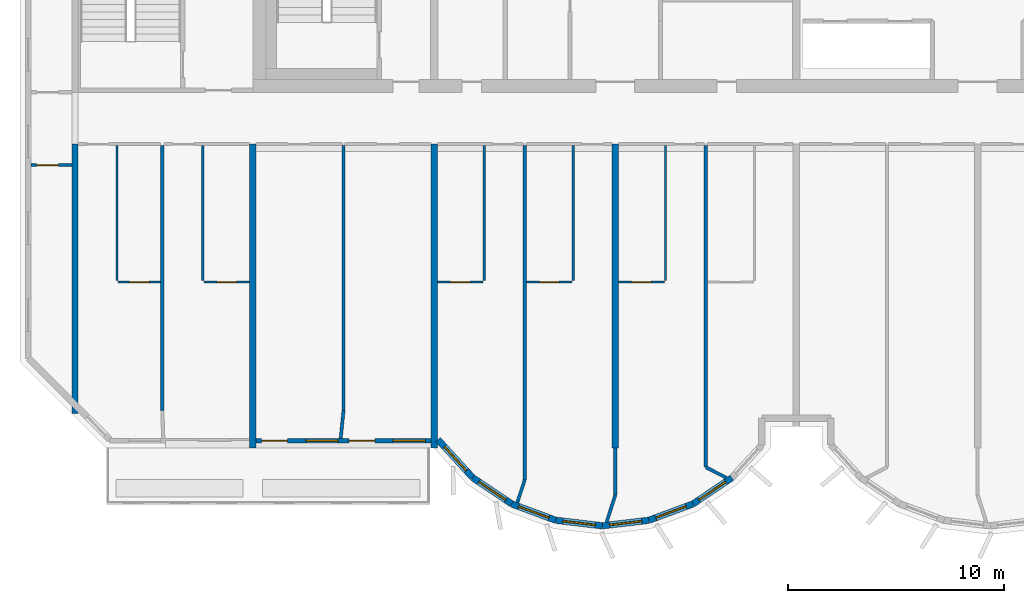
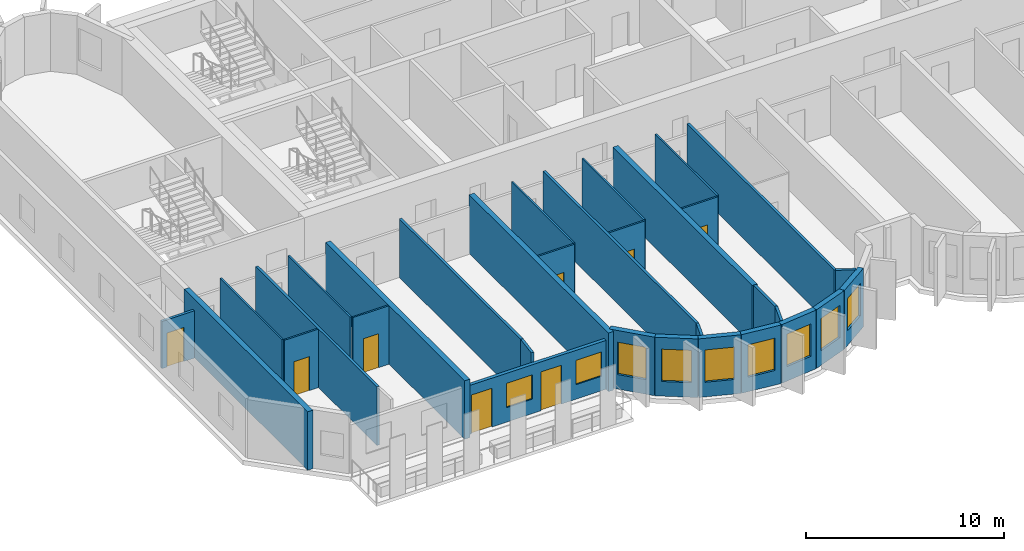
# One storey, part 2 of 11: 32 walls, 9 windows, 8 doors, 17 openings.
"""IFC4 building model written with IfcOpenShell, lengths in metres."""

from ifc_helpers import new_model, si_unit, direction, frame, frame_2d, origin, place, context, subcontext, project, spatial, rectangle, extrude, source, transform, mapped, material, layer, layer_set, type_object, element, fill, save


model = new_model("IFC4")

# Units and contexts
model_context = context("Model", 3, precision=1e-05, world=origin(), true_north=direction((0.0, 1.0)))
body_context = subcontext(model_context, "Body", "Model", "MODEL_VIEW")
ifc_project = project(units=[si_unit("LENGTHUNIT", "METRE"), si_unit("AREAUNIT", "SQUARE_METRE"), si_unit("VOLUMEUNIT", "CUBIC_METRE"), si_unit("PLANEANGLEUNIT", "RADIAN"), si_unit("MASSUNIT", "GRAM", prefix="KILO")], contexts=[model_context])

# Site, building, storey
site_placement = place(None, origin())
site = spatial("IfcSite", under=ifc_project, at=site_placement, CompositionType="ELEMENT")
building_placement = place(site_placement, origin())
building = spatial("IfcBuilding", under=site, at=building_placement, Name="Vanashikhar Sky Hotel", CompositionType="ELEMENT")
storey_placement = place(building_placement, frame((0.0, 0.0, 245.199951171875)))
storey = spatial("IfcBuildingStorey", under=building, at=storey_placement, Name="L59", CompositionType="ELEMENT", Elevation=245.199951171875)

# Walls
ifc_material_1 = material(Name="Concrete M60", Category="concrete")
ifc_layer_1 = layer(ifc_material_1, 0.300048828125)
ifc_layer_set_1 = layer_set([ifc_layer_1], Name="RC shear wall 300 Concrete M60")
wall_type_1 = type_object("IfcWallType", Name="RC shear wall 300 Concrete M60", PredefinedType="SHEAR", material=ifc_layer_set_1)
shared_shape_1 = source(origin(), body_context, "Body", "SweptSolid", [
    extrude(rectangle(XDim=12.5, YDim=0.300048828125, at=frame_2d((6.25, 0.0))), origin(), (0.0, 0.0, 1.0), 3.6201171875),
])
wall_1_placement = place(storey_placement, frame((16.949951171875, 7.10009765625, 0.0), z_axis=(0.0, 0.0, 1.0), x_axis=(0.0, 1.0, 0.0)))
element("IfcWall", 1, at=wall_1_placement, inside=storey, type_object=wall_type_1, Name="CW-L59-XW03-1", PredefinedType="SHEAR", context=body_context, shape_type="MappedRepresentation", body=[
    mapped(shared_shape_1, transform((0.0, 0.0, 0.0), scale=1.0)),
])
shared_shape_2 = source(origin(), body_context, "Body", "SweptSolid", [
    extrude(rectangle(XDim=14.10009765625, YDim=0.300048828125, at=frame_2d((7.050048828125, 0.0))), origin(), (0.0, 0.0, 1.0), 3.6201171875),
])
for number, where, z_axis, x_axis, name in (
    (2, (25.199951171875, 5.5, 0.0), (0.0, 0.0, 1.0), (0.0, 1.0, 0.0), "CW-L59-XW04-1"),
    (3, (33.60009765625, 5.5, 0.0), (0.0, 0.0, 1.0), (0.0, 1.0, 0.0), "CW-L59-XW05-1"),
    (4, (42.0, 5.5, 0.0), (0.0, 0.0, 1.0), (0.0, 1.0, 0.0), "CW-L59-XW06-1"),
):
    element("IfcWall", number, at=place(storey_placement, frame(where, z_axis=z_axis, x_axis=x_axis)), inside=storey, type_object=wall_type_1, Name=name, PredefinedType="SHEAR", context=body_context, shape_type="MappedRepresentation", body=[
        mapped(shared_shape_2, transform((0.0, 0.0, 0.0), scale=1.0)),
    ])

# Wall, openings, windows, doors
ifc_material_2 = material(Name="Concrete M50", Category="concrete")
ifc_layer_2 = layer(ifc_material_2, 0.199951171875)
ifc_layer_set_2 = layer_set([ifc_layer_2], Name="Front window wall 200")
wall_type_2 = type_object("IfcWallType", Name="Front window wall 200", PredefinedType="SOLIDWALL", material=ifc_layer_set_2)
shared_shape_3 = source(origin(), body_context, "Body", "SweptSolid", [
    extrude(rectangle(XDim=8.099853515625, YDim=0.199951171875, at=frame_2d((4.0498046875, 0.0))), origin(), (0.0, 0.0, 1.0), 3.02001953125),
])
wall_2_placement = place(storey_placement, frame((25.35009765625, 5.85009765625, 0.0), z_axis=(0.0, 0.0, 1.0), x_axis=(1.0, 0.0, 0.0)))
wall_2 = element("IfcWall", 5, at=wall_2_placement, inside=storey, type_object=wall_type_2, Name="Front window wall", PredefinedType="SOLIDWALL", context=body_context, shape_type="MappedRepresentation", body=[
    mapped(shared_shape_3, transform((0.0, 0.0, 0.0), scale=1.0)),
])
shared_shape_4 = source(origin(), body_context, "Body", "SweptSolid", [
    extrude(rectangle(XDim=1.199951171875, YDim=2.39990234375, at=frame_2d((0.60009765625, 1.199951171875))), frame((0.0, 0.10986328125, 0.0), z_axis=(0.0, -1.0, 0.0), x_axis=(1.0, 0.0, 0.0)), (0.0, 0.0, 1.0), 0.219970703125),
])
opening_1_placement = place(wall_2_placement, frame((0.25, 0.0, 0.0)))
opening_1 = element("IfcOpeningElement", 6, at=opening_1_placement, cuts=wall_2, Name="Opening BD-01", PredefinedType="OPENING", context=body_context, shape_type="MappedRepresentation", body=[
    mapped(shared_shape_4, transform((0.0, 0.0, 0.0), scale=1.0)),
])
shared_shape_5 = source(origin(), body_context, "Body", "SweptSolid", [
    extrude(rectangle(XDim=1.5, YDim=1.5, at=frame_2d((0.75, 0.75))), frame((0.0, 0.10986328125, 0.0), z_axis=(0.0, -1.0, 0.0), x_axis=(1.0, 0.0, 0.0)), (0.0, 0.0, 1.0), 0.219970703125),
])
opening_2_placement = place(wall_2_placement, frame((2.300048828125, 0.0, 0.89990234375)))
opening_2 = element("IfcOpeningElement", 7, at=opening_2_placement, cuts=wall_2, Name="Opening WN-1", PredefinedType="OPENING", context=body_context, shape_type="MappedRepresentation", body=[
    mapped(shared_shape_5, transform((0.0, 0.0, 0.0), scale=1.0)),
])
opening_3_placement = place(wall_2_placement, frame((4.300048828125, 0.0, 0.0)))
opening_3 = element("IfcOpeningElement", 8, at=opening_3_placement, cuts=wall_2, Name="Opening BD-02", PredefinedType="OPENING", context=body_context, shape_type="MappedRepresentation", body=[
    mapped(shared_shape_4, transform((0.0, 0.0, 0.0), scale=1.0)),
])
opening_4_placement = place(wall_2_placement, frame((6.35009765625, 0.0, 0.89990234375)))
opening_4 = element("IfcOpeningElement", 9, at=opening_4_placement, cuts=wall_2, Name="Opening WN-1", PredefinedType="OPENING", context=body_context, shape_type="MappedRepresentation", body=[
    mapped(shared_shape_5, transform((0.0, 0.0, 0.0), scale=1.0)),
])
ifc_material_3 = material(Name="Glass", Category="glass")
window_type_1 = type_object("IfcWindowType", Name="Window 1500 x 1500", PartitioningType="SINGLE_PANEL", PredefinedType="WINDOW", material=ifc_material_3)
shared_shape_6 = source(origin(), body_context, "Body", "SweptSolid", [
    extrude(rectangle(XDim=1.5, YDim=1.5, at=frame_2d((0.75, 0.75))), frame((0.0, 0.030029296875, 0.0), z_axis=(0.0, -1.0, 0.0), x_axis=(1.0, 0.0, 0.0)), (0.0, 0.0, 1.0), 0.06005859375),
])
window_1_placement = place(opening_2_placement, origin())
window_1 = element("IfcWindow", 10, at=window_1_placement, inside=storey, type_object=window_type_1, Name="Window WN-1", OverallHeight=1.5, OverallWidth=1.5, PartitioningType="SINGLE_PANEL", PredefinedType="WINDOW", context=body_context, shape_type="MappedRepresentation", body=[
    mapped(shared_shape_6, transform((0.0, 0.0, 0.0), scale=1.0)),
])
fill(opening_2, window_1)
window_2_placement = place(opening_4_placement, origin())
window_2 = element("IfcWindow", 11, at=window_2_placement, inside=storey, type_object=window_type_1, Name="Window WN-1", OverallHeight=1.5, OverallWidth=1.5, PartitioningType="SINGLE_PANEL", PredefinedType="WINDOW", context=body_context, shape_type="MappedRepresentation", body=[
    mapped(shared_shape_6, transform((0.0, 0.0, 0.0), scale=1.0)),
])
fill(opening_4, window_2)
ifc_material_4 = material(Name="Aluminium", Category="aluminium")
door_type_1 = type_object("IfcDoorType", Name="Balcony sliding door 1200 x 2400", OperationType="NOTDEFINED", PredefinedType="DOOR", material=ifc_material_4)
shared_shape_7 = source(origin(), body_context, "Body", "SweptSolid", [
    extrude(rectangle(XDim=1.199951171875, YDim=2.39990234375, at=frame_2d((0.60009765625, 1.199951171875))), frame((0.0, 0.02490234375, 0.0), z_axis=(0.0, -1.0, 0.0), x_axis=(1.0, 0.0, 0.0)), (0.0, 0.0, 1.0), 0.050048828125),
])
door_1_placement = place(opening_1_placement, origin())
door_1 = element("IfcDoor", 12, at=door_1_placement, inside=storey, type_object=door_type_1, Name="Balcony sliding door", OperationType="SLIDING_TO_LEFT", OverallHeight=2.39990234375, OverallWidth=1.199951171875, PredefinedType="DOOR", context=body_context, shape_type="MappedRepresentation", body=[
    mapped(shared_shape_7, transform((0.0, 0.0, 0.0), scale=1.0)),
])
fill(opening_1, door_1)
door_2_placement = place(opening_3_placement, origin())
door_2 = element("IfcDoor", 13, at=door_2_placement, inside=storey, type_object=door_type_1, Name="Balcony sliding door", OperationType="SLIDING_TO_RIGHT", OverallHeight=2.39990234375, OverallWidth=1.199951171875, PredefinedType="DOOR", context=body_context, shape_type="MappedRepresentation", body=[
    mapped(shared_shape_7, transform((0.0, 0.0, 0.0), scale=1.0)),
])
fill(opening_3, door_2)

# Wall, opening, window
ifc_layer_3 = layer(ifc_material_2, 0.300048828125)
ifc_layer_set_3 = layer_set([ifc_layer_3], Name="Lobe wall 300")
wall_type_3 = type_object("IfcWallType", Name="Lobe wall 300", PredefinedType="SOLIDWALL", material=ifc_layer_set_3)
shared_shape_8 = source(origin(), body_context, "Body", "SweptSolid", [
    extrude(rectangle(XDim=2.398193359375, YDim=0.300048828125, at=frame_2d((1.19921875, 0.0))), origin(), (0.0, 0.0, 1.0), 3.6201171875),
])
wall_3_placement = place(storey_placement, frame((33.776123046875, 5.89990234375, 0.0), z_axis=(0.0, 0.0, 1.0), x_axis=(0.675374189419, -0.737475222815, 0.0)))
wall_3 = element("IfcWall", 14, at=wall_3_placement, inside=storey, type_object=wall_type_3, Name="Lobe wall", PredefinedType="SOLIDWALL", context=body_context, shape_type="MappedRepresentation", body=[
    mapped(shared_shape_8, transform((0.0, 0.0, 0.0), scale=1.0)),
])
shared_shape_9 = source(origin(), body_context, "Body", "SweptSolid", [
    extrude(rectangle(XDim=1.5, YDim=2.0, at=frame_2d((0.75, 1.0))), frame((0.0, 0.16015625, 0.0), z_axis=(0.0, -1.0, 0.0), x_axis=(1.0, 0.0, 0.0)), (0.0, 0.0, 1.0), 0.320068359375),
])
opening_5_placement = place(wall_3_placement, frame((0.44921875, 0.0, 0.89990234375)))
opening_5 = element("IfcOpeningElement", 15, at=opening_5_placement, cuts=wall_3, Name="Opening WN-2", PredefinedType="OPENING", context=body_context, shape_type="MappedRepresentation", body=[
    mapped(shared_shape_9, transform((0.0, 0.0, 0.0), scale=1.0)),
])
window_type_2 = type_object("IfcWindowType", Name="Lobe window 1500 x 2000", PartitioningType="SINGLE_PANEL", PredefinedType="WINDOW", material=ifc_material_3)
shared_shape_10 = source(origin(), body_context, "Body", "SweptSolid", [
    extrude(rectangle(XDim=1.5, YDim=2.0, at=frame_2d((0.75, 1.0))), frame((0.0, 0.030029296875, 0.0), z_axis=(0.0, -1.0, 0.0), x_axis=(1.0, 0.0, 0.0)), (0.0, 0.0, 1.0), 0.06005859375),
])
window_3_placement = place(opening_5_placement, origin())
window_3 = element("IfcWindow", 16, at=window_3_placement, inside=storey, type_object=window_type_2, Name="Window WN-2", OverallHeight=2.0, OverallWidth=1.5, PartitioningType="SINGLE_PANEL", PredefinedType="WINDOW", context=body_context, shape_type="MappedRepresentation", body=[
    mapped(shared_shape_10, transform((0.0, 0.0, 0.0), scale=1.0)),
])
fill(opening_5, window_3)

shared_shape_11 = source(origin(), body_context, "Body", "SweptSolid", [
    extrude(rectangle(XDim=2.17578125, YDim=0.300048828125, at=frame_2d((1.087890625, 0.0))), origin(), (0.0, 0.0, 1.0), 3.6201171875),
])
wall_4_placement = place(storey_placement, frame((35.395751953125, 4.13134765625, 0.0), z_axis=(0.0, 0.0, 1.0), x_axis=(0.829590746428, -0.558371913192, 0.0)))
wall_4 = element("IfcWall", 17, at=wall_4_placement, inside=storey, type_object=wall_type_3, Name="Lobe wall", PredefinedType="SOLIDWALL", context=body_context, shape_type="MappedRepresentation", body=[
    mapped(shared_shape_11, transform((0.0, 0.0, 0.0), scale=1.0)),
])
opening_6_placement = place(wall_4_placement, frame((0.337890625, 0.0, 0.89990234375)))
opening_6 = element("IfcOpeningElement", 18, at=opening_6_placement, cuts=wall_4, Name="Opening WN-2", PredefinedType="OPENING", context=body_context, shape_type="MappedRepresentation", body=[
    mapped(shared_shape_9, transform((0.0, 0.0, 0.0), scale=1.0)),
])
window_4_placement = place(opening_6_placement, origin())
window_4 = element("IfcWindow", 19, at=window_4_placement, inside=storey, type_object=window_type_2, Name="Window WN-2", OverallHeight=2.0, OverallWidth=1.5, PartitioningType="SINGLE_PANEL", PredefinedType="WINDOW", context=body_context, shape_type="MappedRepresentation", body=[
    mapped(shared_shape_10, transform((0.0, 0.0, 0.0), scale=1.0)),
])
fill(opening_6, window_4)

wall_5_placement = place(storey_placement, frame((37.20068359375, 2.91650390625, 0.0), z_axis=(0.0, 0.0, 1.0), x_axis=(0.93754555999, -0.347862505801, 0.0)))
wall_5 = element("IfcWall", 20, at=wall_5_placement, inside=storey, type_object=wall_type_3, Name="Lobe wall", PredefinedType="SOLIDWALL", context=body_context, shape_type="MappedRepresentation", body=[
    mapped(shared_shape_11, transform((0.0, 0.0, 0.0), scale=1.0)),
])
opening_7_placement = place(wall_5_placement, frame((0.337890625, 0.0, 0.89990234375)))
opening_7 = element("IfcOpeningElement", 21, at=opening_7_placement, cuts=wall_5, Name="Opening WN-2", PredefinedType="OPENING", context=body_context, shape_type="MappedRepresentation", body=[
    mapped(shared_shape_9, transform((0.0, 0.0, 0.0), scale=1.0)),
])
window_5_placement = place(opening_7_placement, origin())
window_5 = element("IfcWindow", 22, at=window_5_placement, inside=storey, type_object=window_type_2, Name="Window WN-2", OverallHeight=2.0, OverallWidth=1.5, PartitioningType="SINGLE_PANEL", PredefinedType="WINDOW", context=body_context, shape_type="MappedRepresentation", body=[
    mapped(shared_shape_10, transform((0.0, 0.0, 0.0), scale=1.0)),
])
fill(opening_7, window_5)

wall_6_placement = place(storey_placement, frame((45.59912109375, 2.91650390625, 0.0), z_axis=(0.0, 0.0, 1.0), x_axis=(0.829625727223, 0.558319937607, 0.0)))
wall_6 = element("IfcWall", 23, at=wall_6_placement, inside=storey, type_object=wall_type_3, Name="Lobe wall", PredefinedType="SOLIDWALL", context=body_context, shape_type="MappedRepresentation", body=[
    mapped(shared_shape_11, transform((0.0, 0.0, 0.0), scale=1.0)),
])
opening_8_placement = place(wall_6_placement, frame((0.337890625, 0.0, 0.89990234375)))
opening_8 = element("IfcOpeningElement", 24, at=opening_8_placement, cuts=wall_6, Name="Opening WN-2", PredefinedType="OPENING", context=body_context, shape_type="MappedRepresentation", body=[
    mapped(shared_shape_9, transform((0.0, 0.0, 0.0), scale=1.0)),
])
window_6_placement = place(opening_8_placement, origin())
window_6 = element("IfcWindow", 25, at=window_6_placement, inside=storey, type_object=window_type_2, Name="Window WN-2", OverallHeight=2.0, OverallWidth=1.5, PartitioningType="SINGLE_PANEL", PredefinedType="WINDOW", context=body_context, shape_type="MappedRepresentation", body=[
    mapped(shared_shape_10, transform((0.0, 0.0, 0.0), scale=1.0)),
])
fill(opening_8, window_6)

shared_shape_12 = source(origin(), body_context, "Body", "SweptSolid", [
    extrude(rectangle(XDim=2.174560546875, YDim=0.300048828125, at=frame_2d((1.08740234375, 0.0))), origin(), (0.0, 0.0, 1.0), 3.6201171875),
])
wall_7_placement = place(storey_placement, frame((39.240478515625, 2.15966796875, 0.0), z_axis=(0.0, 0.0, 1.0), x_axis=(0.993001132889, -0.118104826659, 0.0)))
wall_7 = element("IfcWall", 26, at=wall_7_placement, inside=storey, type_object=wall_type_3, Name="Lobe wall", PredefinedType="SOLIDWALL", context=body_context, shape_type="MappedRepresentation", body=[
    mapped(shared_shape_12, transform((0.0, 0.0, 0.0), scale=1.0)),
])
opening_9_placement = place(wall_7_placement, frame((0.33740234375, 0.0, 0.89990234375)))
opening_9 = element("IfcOpeningElement", 27, at=opening_9_placement, cuts=wall_7, Name="Opening WN-2", PredefinedType="OPENING", context=body_context, shape_type="MappedRepresentation", body=[
    mapped(shared_shape_9, transform((0.0, 0.0, 0.0), scale=1.0)),
])
window_7_placement = place(opening_9_placement, origin())
window_7 = element("IfcWindow", 28, at=window_7_placement, inside=storey, type_object=window_type_2, Name="Window WN-2", OverallHeight=2.0, OverallWidth=1.5, PartitioningType="SINGLE_PANEL", PredefinedType="WINDOW", context=body_context, shape_type="MappedRepresentation", body=[
    mapped(shared_shape_10, transform((0.0, 0.0, 0.0), scale=1.0)),
])
fill(opening_9, window_7)

shared_shape_13 = source(origin(), body_context, "Body", "SweptSolid", [
    extrude(rectangle(XDim=2.1748046875, YDim=0.300048828125, at=frame_2d((1.08740234375, 0.0))), origin(), (0.0, 0.0, 1.0), 3.6201171875),
])
wall_8_placement = place(storey_placement, frame((41.39990234375, 1.90283203125, 0.0), z_axis=(0.0, 0.0, 1.0), x_axis=(0.993002698611, 0.118091661648, 0.0)))
wall_8 = element("IfcWall", 29, at=wall_8_placement, inside=storey, type_object=wall_type_3, Name="Lobe wall", PredefinedType="SOLIDWALL", context=body_context, shape_type="MappedRepresentation", body=[
    mapped(shared_shape_13, transform((0.0, 0.0, 0.0), scale=1.0)),
])
opening_10_placement = place(wall_8_placement, frame((0.33740234375, 0.0, 0.89990234375)))
opening_10 = element("IfcOpeningElement", 30, at=opening_10_placement, cuts=wall_8, Name="Opening WN-2", PredefinedType="OPENING", context=body_context, shape_type="MappedRepresentation", body=[
    mapped(shared_shape_9, transform((0.0, 0.0, 0.0), scale=1.0)),
])
window_8_placement = place(opening_10_placement, origin())
window_8 = element("IfcWindow", 31, at=window_8_placement, inside=storey, type_object=window_type_2, Name="Window WN-2", OverallHeight=2.0, OverallWidth=1.5, PartitioningType="SINGLE_PANEL", PredefinedType="WINDOW", context=body_context, shape_type="MappedRepresentation", body=[
    mapped(shared_shape_10, transform((0.0, 0.0, 0.0), scale=1.0)),
])
fill(opening_10, window_8)

shared_shape_14 = source(origin(), body_context, "Body", "SweptSolid", [
    extrude(rectangle(XDim=2.175537109375, YDim=0.300048828125, at=frame_2d((1.087890625, 0.0))), origin(), (0.0, 0.0, 1.0), 3.6201171875),
])
wall_9_placement = place(storey_placement, frame((43.5595703125, 2.15966796875, 0.0), z_axis=(0.0, 0.0, 1.0), x_axis=(0.937531979054, 0.347899106424, 0.0)))
wall_9 = element("IfcWall", 32, at=wall_9_placement, inside=storey, type_object=wall_type_3, Name="Lobe wall", PredefinedType="SOLIDWALL", context=body_context, shape_type="MappedRepresentation", body=[
    mapped(shared_shape_14, transform((0.0, 0.0, 0.0), scale=1.0)),
])
opening_11_placement = place(wall_9_placement, frame((0.337890625, 0.0, 0.89990234375)))
opening_11 = element("IfcOpeningElement", 33, at=opening_11_placement, cuts=wall_9, Name="Opening WN-2", PredefinedType="OPENING", context=body_context, shape_type="MappedRepresentation", body=[
    mapped(shared_shape_9, transform((0.0, 0.0, 0.0), scale=1.0)),
])
window_9_placement = place(opening_11_placement, origin())
window_9 = element("IfcWindow", 34, at=window_9_placement, inside=storey, type_object=window_type_2, Name="Window WN-2", OverallHeight=2.0, OverallWidth=1.5, PartitioningType="SINGLE_PANEL", PredefinedType="WINDOW", context=body_context, shape_type="MappedRepresentation", body=[
    mapped(shared_shape_10, transform((0.0, 0.0, 0.0), scale=1.0)),
])
fill(opening_11, window_9)

# Wall, opening, door
ifc_material_5 = material(Name="Gypsum plasterboard partition")
ifc_layer_4 = layer(ifc_material_5, 0.10009765625)
ifc_layer_set_4 = layer_set([ifc_layer_4], Name="Wet room partition 100")
wall_type_4 = type_object("IfcWallType", Name="Wet room partition 100", PredefinedType="PARTITIONING", material=ifc_layer_set_4)
shared_shape_15 = source(origin(), body_context, "Body", "SweptSolid", [
    extrude(rectangle(XDim=1.97509765625, YDim=0.10009765625, at=frame_2d((0.987548828125, 0.0))), origin(), (0.0, 0.0, 1.0), 3.6201171875),
])
wall_10_placement = place(storey_placement, frame((18.949951171875, 13.199951171875, 0.0), z_axis=(0.0, 0.0, 1.0), x_axis=(1.0, 0.0, 0.0)))
wall_10 = element("IfcWall", 35, at=wall_10_placement, inside=storey, type_object=wall_type_4, Name="W-L59-PW002", PredefinedType="PARTITIONING", context=body_context, shape_type="MappedRepresentation", body=[
    mapped(shared_shape_15, transform((0.0, 0.0, 0.0), scale=1.0)),
])
shared_shape_16 = source(origin(), body_context, "Body", "SweptSolid", [
    extrude(rectangle(XDim=0.89990234375, YDim=2.10009765625, at=frame_2d((0.449951171875, 1.050048828125))), frame((0.0, 0.06005859375, 0.0), z_axis=(0.0, -1.0, 0.0), x_axis=(1.0, 0.0, 0.0)), (0.0, 0.0, 1.0), 0.1201171875),
])
opening_12_placement = place(wall_10_placement, frame((0.5380859375, 0.0, 0.0)))
opening_12 = element("IfcOpeningElement", 36, at=opening_12_placement, cuts=wall_10, Name="Opening D-02", PredefinedType="OPENING", context=body_context, shape_type="MappedRepresentation", body=[
    mapped(shared_shape_16, transform((0.0, 0.0, 0.0), scale=1.0)),
])
ifc_material_6 = material(Name="Timber door", Category="wood")
door_type_2 = type_object("IfcDoorType", Name="Internal door 900", OperationType="NOTDEFINED", PredefinedType="DOOR", material=ifc_material_6)
shared_shape_17 = source(origin(), body_context, "Body", "SweptSolid", [
    extrude(rectangle(XDim=0.89990234375, YDim=2.10009765625, at=frame_2d((0.449951171875, 1.050048828125))), frame((0.0, 0.02490234375, 0.0), z_axis=(0.0, -1.0, 0.0), x_axis=(1.0, 0.0, 0.0)), (0.0, 0.0, 1.0), 0.050048828125),
])
door_3_placement = place(opening_12_placement, origin())
door_3 = element("IfcDoor", 37, at=door_3_placement, inside=storey, type_object=door_type_2, Name="D-L59-001", OperationType="SINGLE_SWING_LEFT", OverallHeight=2.10009765625, OverallWidth=0.89990234375, PredefinedType="DOOR", context=body_context, shape_type="MappedRepresentation", body=[
    mapped(shared_shape_17, transform((0.0, 0.0, 0.0), scale=1.0)),
])
fill(opening_12, door_3)

shared_shape_18 = source(origin(), body_context, "Body", "SweptSolid", [
    extrude(rectangle(XDim=2.125, YDim=0.10009765625, at=frame_2d((1.0625, 0.0))), origin(), (0.0, 0.0, 1.0), 3.6201171875),
])
wall_11_placement = place(storey_placement, frame((22.925048828125, 13.199951171875, 0.0), z_axis=(0.0, 0.0, 1.0), x_axis=(1.0, 0.0, 0.0)))
wall_11 = element("IfcWall", 38, at=wall_11_placement, inside=storey, type_object=wall_type_4, Name="W-L59-PW005", PredefinedType="PARTITIONING", context=body_context, shape_type="MappedRepresentation", body=[
    mapped(shared_shape_18, transform((0.0, 0.0, 0.0), scale=1.0)),
])
opening_13_placement = place(wall_11_placement, frame((0.613037109375, 0.0, 0.0)))
opening_13 = element("IfcOpeningElement", 39, at=opening_13_placement, cuts=wall_11, Name="Opening D-02", PredefinedType="OPENING", context=body_context, shape_type="MappedRepresentation", body=[
    mapped(shared_shape_16, transform((0.0, 0.0, 0.0), scale=1.0)),
])
door_4_placement = place(opening_13_placement, origin())
door_4 = element("IfcDoor", 40, at=door_4_placement, inside=storey, type_object=door_type_2, Name="D-L59-003", OperationType="SINGLE_SWING_LEFT", OverallHeight=2.10009765625, OverallWidth=0.89990234375, PredefinedType="DOOR", context=body_context, shape_type="MappedRepresentation", body=[
    mapped(shared_shape_17, transform((0.0, 0.0, 0.0), scale=1.0)),
])
fill(opening_13, door_4)

wall_12_placement = place(storey_placement, frame((33.75, 13.199951171875, 0.0), z_axis=(0.0, 0.0, 1.0), x_axis=(1.0, 0.0, 0.0)))
wall_12 = element("IfcWall", 41, at=wall_12_placement, inside=storey, type_object=wall_type_4, Name="W-L59-PW012", PredefinedType="PARTITIONING", context=body_context, shape_type="MappedRepresentation", body=[
    mapped(shared_shape_18, transform((0.0, 0.0, 0.0), scale=1.0)),
])
opening_14_placement = place(wall_12_placement, frame((0.612060546875, 0.0, 0.0)))
opening_14 = element("IfcOpeningElement", 42, at=opening_14_placement, cuts=wall_12, Name="Opening D-02", PredefinedType="OPENING", context=body_context, shape_type="MappedRepresentation", body=[
    mapped(shared_shape_16, transform((0.0, 0.0, 0.0), scale=1.0)),
])
door_5_placement = place(opening_14_placement, origin())
door_5 = element("IfcDoor", 43, at=door_5_placement, inside=storey, type_object=door_type_2, Name="D-L59-007", OperationType="SINGLE_SWING_RIGHT", OverallHeight=2.10009765625, OverallWidth=0.89990234375, PredefinedType="DOOR", context=body_context, shape_type="MappedRepresentation", body=[
    mapped(shared_shape_17, transform((0.0, 0.0, 0.0), scale=1.0)),
])
fill(opening_14, door_5)

wall_13_placement = place(storey_placement, frame((37.875, 13.199951171875, 0.0), z_axis=(0.0, 0.0, 1.0), x_axis=(1.0, 0.0, 0.0)))
wall_13 = element("IfcWall", 44, at=wall_13_placement, inside=storey, type_object=wall_type_4, Name="W-L59-PW015", PredefinedType="PARTITIONING", context=body_context, shape_type="MappedRepresentation", body=[
    mapped(shared_shape_18, transform((0.0, 0.0, 0.0), scale=1.0)),
])
opening_15_placement = place(wall_13_placement, frame((0.612060546875, 0.0, 0.0)))
opening_15 = element("IfcOpeningElement", 45, at=opening_15_placement, cuts=wall_13, Name="Opening D-02", PredefinedType="OPENING", context=body_context, shape_type="MappedRepresentation", body=[
    mapped(shared_shape_16, transform((0.0, 0.0, 0.0), scale=1.0)),
])
door_6_placement = place(opening_15_placement, origin())
door_6 = element("IfcDoor", 46, at=door_6_placement, inside=storey, type_object=door_type_2, Name="D-L59-009", OperationType="SINGLE_SWING_RIGHT", OverallHeight=2.10009765625, OverallWidth=0.89990234375, PredefinedType="DOOR", context=body_context, shape_type="MappedRepresentation", body=[
    mapped(shared_shape_17, transform((0.0, 0.0, 0.0), scale=1.0)),
])
fill(opening_15, door_6)

wall_14_placement = place(storey_placement, frame((42.14990234375, 13.199951171875, 0.0), z_axis=(0.0, 0.0, 1.0), x_axis=(1.0, 0.0, 0.0)))
wall_14 = element("IfcWall", 47, at=wall_14_placement, inside=storey, type_object=wall_type_4, Name="W-L59-PW019", PredefinedType="PARTITIONING", context=body_context, shape_type="MappedRepresentation", body=[
    mapped(shared_shape_18, transform((0.0, 0.0, 0.0), scale=1.0)),
])
opening_16_placement = place(wall_14_placement, frame((0.613037109375, 0.0, 0.0)))
opening_16 = element("IfcOpeningElement", 48, at=opening_16_placement, cuts=wall_14, Name="Opening D-02", PredefinedType="OPENING", context=body_context, shape_type="MappedRepresentation", body=[
    mapped(shared_shape_16, transform((0.0, 0.0, 0.0), scale=1.0)),
])
door_7_placement = place(opening_16_placement, origin())
door_7 = element("IfcDoor", 49, at=door_7_placement, inside=storey, type_object=door_type_2, Name="D-L59-011", OperationType="SINGLE_SWING_RIGHT", OverallHeight=2.10009765625, OverallWidth=0.89990234375, PredefinedType="DOOR", context=body_context, shape_type="MappedRepresentation", body=[
    mapped(shared_shape_17, transform((0.0, 0.0, 0.0), scale=1.0)),
])
fill(opening_16, door_7)

# Walls
ifc_layer_5 = layer(ifc_material_5, 0.14990234375)
ifc_layer_set_5 = layer_set([ifc_layer_5], Name="Corridor and demising partition 150")
wall_type_5 = type_object("IfcWallType", Name="Corridor and demising partition 150", PredefinedType="PARTITIONING", material=ifc_layer_set_5)
shared_shape_19 = source(origin(), body_context, "Body", "SweptSolid", [
    extrude(rectangle(XDim=12.27490234375, YDim=0.14990234375, at=frame_2d((6.137451171875, 0.0))), origin(), (0.0, 0.0, 1.0), 3.6201171875),
])
for number, where, z_axis, x_axis, name in (
    (50, (21.0, 7.25, 0.0), (0.0, 0.0, 1.0), (0.0, 1.0, 0.0), "W-L59-PW007"),
    (51, (29.39990234375, 7.25, 0.0), (0.0, 0.0, 1.0), (0.0, 1.0, 0.0), "W-L59-PW010"),
):
    element("IfcWall", number, at=place(storey_placement, frame(where, z_axis=z_axis, x_axis=x_axis)), inside=storey, type_object=wall_type_5, Name=name, PredefinedType="PARTITIONING", context=body_context, shape_type="MappedRepresentation", body=[
        mapped(shared_shape_19, transform((0.0, 0.0, 0.0), scale=1.0)),
    ])
shared_shape_20 = source(origin(), body_context, "Body", "SweptSolid", [
    extrude(rectangle(XDim=14.906005859375, YDim=0.14990234375, at=frame_2d((7.453125, 0.0))), origin(), (0.0, 0.0, 1.0), 3.6201171875),
])
wall_15_placement = place(storey_placement, frame((46.199951171875, 4.618896484375, 0.0), z_axis=(0.0, 0.0, 1.0), x_axis=(0.0, 1.0, 0.0)))
element("IfcWall", 52, at=wall_15_placement, inside=storey, type_object=wall_type_5, Name="W-L59-PW024", PredefinedType="PARTITIONING", context=body_context, shape_type="MappedRepresentation", body=[
    mapped(shared_shape_20, transform((0.0, 0.0, 0.0), scale=1.0)),
])
shared_shape_21 = source(origin(), body_context, "Body", "SweptSolid", [
    extrude(rectangle(XDim=15.497802734375, YDim=0.14990234375, at=frame_2d((7.7490234375, 0.0))), origin(), (0.0, 0.0, 1.0), 3.6201171875),
])
wall_16_placement = place(storey_placement, frame((37.800048828125, 4.027099609375, 0.0), z_axis=(0.0, 0.0, 1.0), x_axis=(0.0, 1.0, 0.0)))
element("IfcWall", 53, at=wall_16_placement, inside=storey, type_object=wall_type_5, Name="W-L59-PW017", PredefinedType="PARTITIONING", context=body_context, shape_type="MappedRepresentation", body=[
    mapped(shared_shape_21, transform((0.0, 0.0, 0.0), scale=1.0)),
])
shared_shape_22 = source(origin(), body_context, "Body", "SweptSolid", [
    extrude(rectangle(XDim=2.177978515625, YDim=0.14990234375, at=frame_2d((1.0888671875, 0.0))), origin(), (0.0, 0.0, 1.0), 3.6201171875),
])
wall_17_placement = place(storey_placement, frame((42.0, 3.322021484375, 0.0), z_axis=(0.0, 0.0, 1.0), x_axis=(0.0, 1.0, 0.0)))
element("IfcWall", 54, at=wall_17_placement, inside=storey, type_object=wall_type_5, Name="W-L59-PW039", PredefinedType="PARTITIONING", context=body_context, shape_type="MappedRepresentation", body=[
    mapped(shared_shape_22, transform((0.0, 0.0, 0.0), scale=1.0)),
])
shared_shape_23 = source(origin(), body_context, "Body", "SweptSolid", [
    extrude(rectangle(XDim=1.100830078125, YDim=0.14990234375, at=frame_2d((0.55029296875, 0.0))), origin(), (0.0, 0.0, 1.0), 3.6201171875),
])
wall_18_placement = place(storey_placement, frame((37.45703125, 2.98095703125, 0.0), z_axis=(0.0, 0.0, 1.0), x_axis=(0.311567081539, 0.950224159712, 0.0)))
element("IfcWall", 55, at=wall_18_placement, inside=storey, type_object=wall_type_5, Name="W-L59-PW017B0", PredefinedType="PARTITIONING", context=body_context, shape_type="MappedRepresentation", body=[
    mapped(shared_shape_23, transform((0.0, 0.0, 0.0), scale=1.0)),
])
shared_shape_24 = source(origin(), body_context, "Body", "SweptSolid", [
    extrude(rectangle(XDim=1.306640625, YDim=0.14990234375, at=frame_2d((0.6533203125, 0.0))), origin(), (0.0, 0.0, 1.0), 3.6201171875),
])
wall_19_placement = place(storey_placement, frame((29.27001953125, 5.949951171875, 0.0), z_axis=(0.0, 0.0, 1.0), x_axis=(0.099411212066, 0.995046436562, 0.0)))
element("IfcWall", 56, at=wall_19_placement, inside=storey, type_object=wall_type_5, Name="W-L59-PW010B0", PredefinedType="PARTITIONING", context=body_context, shape_type="MappedRepresentation", body=[
    mapped(shared_shape_24, transform((0.0, 0.0, 0.0), scale=1.0)),
])
shared_shape_25 = source(origin(), body_context, "Body", "SweptSolid", [
    extrude(rectangle(XDim=1.308349609375, YDim=0.14990234375, at=frame_2d((0.654296875, 0.0))), origin(), (0.0, 0.0, 1.0), 3.6201171875),
])
wall_20_placement = place(storey_placement, frame((41.597900390625, 2.076904296875, 0.0), z_axis=(0.0, 0.0, 1.0), x_axis=(0.307313512187, 0.951608325535, 0.0)))
element("IfcWall", 57, at=wall_20_placement, inside=storey, type_object=wall_type_5, Name="W-L59-PW039B0", PredefinedType="PARTITIONING", context=body_context, shape_type="MappedRepresentation", body=[
    mapped(shared_shape_25, transform((0.0, 0.0, 0.0), scale=1.0)),
])

# Wall, opening, door
shared_shape_26 = source(origin(), body_context, "Body", "SweptSolid", [
    extrude(rectangle(XDim=1.900146484375, YDim=0.14990234375, at=frame_2d((0.9501953125, 0.0))), origin(), (0.0, 0.0, 1.0), 2.920166015625),
])
wall_21_placement = place(storey_placement, frame((14.89990234375, 18.6279296875, 0.0), z_axis=(0.0, 0.0, 1.0), x_axis=(1.0, 0.0, 0.0)))
wall_21 = element("IfcWall", 58, at=wall_21_placement, inside=storey, type_object=wall_type_5, Name="W-L59-PW043", PredefinedType="PARTITIONING", context=body_context, shape_type="MappedRepresentation", body=[
    mapped(shared_shape_26, transform((0.0, 0.0, 0.0), scale=1.0)),
])
shared_shape_27 = source(origin(), body_context, "Body", "SweptSolid", [
    extrude(rectangle(XDim=1.0, YDim=2.10009765625, at=frame_2d((0.5, 1.050048828125))), frame((0.0, 0.0849609375, 0.0), z_axis=(0.0, -1.0, 0.0), x_axis=(1.0, 0.0, 0.0)), (0.0, 0.0, 1.0), 0.169921875),
])
opening_17_placement = place(wall_21_placement, frame((0.27490234375, 0.0, 0.0)))
opening_17 = element("IfcOpeningElement", 59, at=opening_17_placement, cuts=wall_21, Name="Opening D-01", PredefinedType="OPENING", context=body_context, shape_type="MappedRepresentation", body=[
    mapped(shared_shape_27, transform((0.0, 0.0, 0.0), scale=1.0)),
])
ifc_material_7 = material(Name="Timber fire door", Category="wood")
door_type_3 = type_object("IfcDoorType", Name="Guest entry door 1000 FD30S", OperationType="NOTDEFINED", PredefinedType="DOOR", material=ifc_material_7)
shared_shape_28 = source(origin(), body_context, "Body", "SweptSolid", [
    extrude(rectangle(XDim=1.0, YDim=2.10009765625, at=frame_2d((0.5, 1.050048828125))), frame((0.0, 0.02490234375, 0.0), z_axis=(0.0, -1.0, 0.0), x_axis=(1.0, 0.0, 0.0)), (0.0, 0.0, 1.0), 0.050048828125),
])
door_8_placement = place(opening_17_placement, origin())
door_8 = element("IfcDoor", 60, at=door_8_placement, inside=storey, type_object=door_type_3, Name="D-L59-026", OperationType="SINGLE_SWING_LEFT", OverallHeight=2.10009765625, OverallWidth=1.0, PredefinedType="DOOR", context=body_context, shape_type="MappedRepresentation", body=[
    mapped(shared_shape_28, transform((0.0, 0.0, 0.0), scale=1.0)),
])
fill(opening_17, door_8)

# Walls
shared_shape_29 = source(origin(), body_context, "Body", "SweptSolid", [
    extrude(rectangle(XDim=1.0576171875, YDim=0.14990234375, at=frame_2d((0.52880859375, 0.0))), origin(), (0.0, 0.0, 1.0), 3.6201171875),
])
wall_22_placement = place(storey_placement, frame((47.139892578125, 4.134033203125, 0.0), z_axis=(0.0, 0.0, 1.0), x_axis=(-0.888723819054, 0.458442988218, 0.0)))
element("IfcWall", 61, at=wall_22_placement, inside=storey, type_object=wall_type_5, Name="W-L59-PW024B0", PredefinedType="PARTITIONING", context=body_context, shape_type="MappedRepresentation", body=[
    mapped(shared_shape_29, transform((0.0, 0.0, 0.0), scale=1.0)),
])
shared_shape_30 = source(origin(), body_context, "Body", "SweptSolid", [
    extrude(rectangle(XDim=6.25, YDim=0.10009765625, at=frame_2d((3.125, 0.0))), origin(), (0.0, 0.0, 1.0), 3.6201171875),
])
for number, where, z_axis, x_axis, name in (
    (62, (18.89990234375, 13.27490234375, 0.0), (0.0, 0.0, 1.0), (0.0, 1.0, 0.0), "W-L59-PW001"),
    (63, (22.875, 13.27490234375, 0.0), (0.0, 0.0, 1.0), (0.0, 1.0, 0.0), "W-L59-PW004"),
    (64, (35.925048828125, 13.27490234375, 0.0), (0.0, 0.0, 1.0), (0.0, 1.0, 0.0), "W-L59-PW011"),
    (65, (40.050048828125, 13.27490234375, 0.0), (0.0, 0.0, 1.0), (0.0, 1.0, 0.0), "W-L59-PW014"),
    (66, (44.324951171875, 13.27490234375, 0.0), (0.0, 0.0, 1.0), (0.0, 1.0, 0.0), "W-L59-PW018"),
):
    element("IfcWall", number, at=place(storey_placement, frame(where, z_axis=z_axis, x_axis=x_axis)), inside=storey, type_object=wall_type_4, Name=name, PredefinedType="PARTITIONING", context=body_context, shape_type="MappedRepresentation", body=[
        mapped(shared_shape_30, transform((0.0, 0.0, 0.0), scale=1.0)),
    ])

save(model, "model.ifc")
